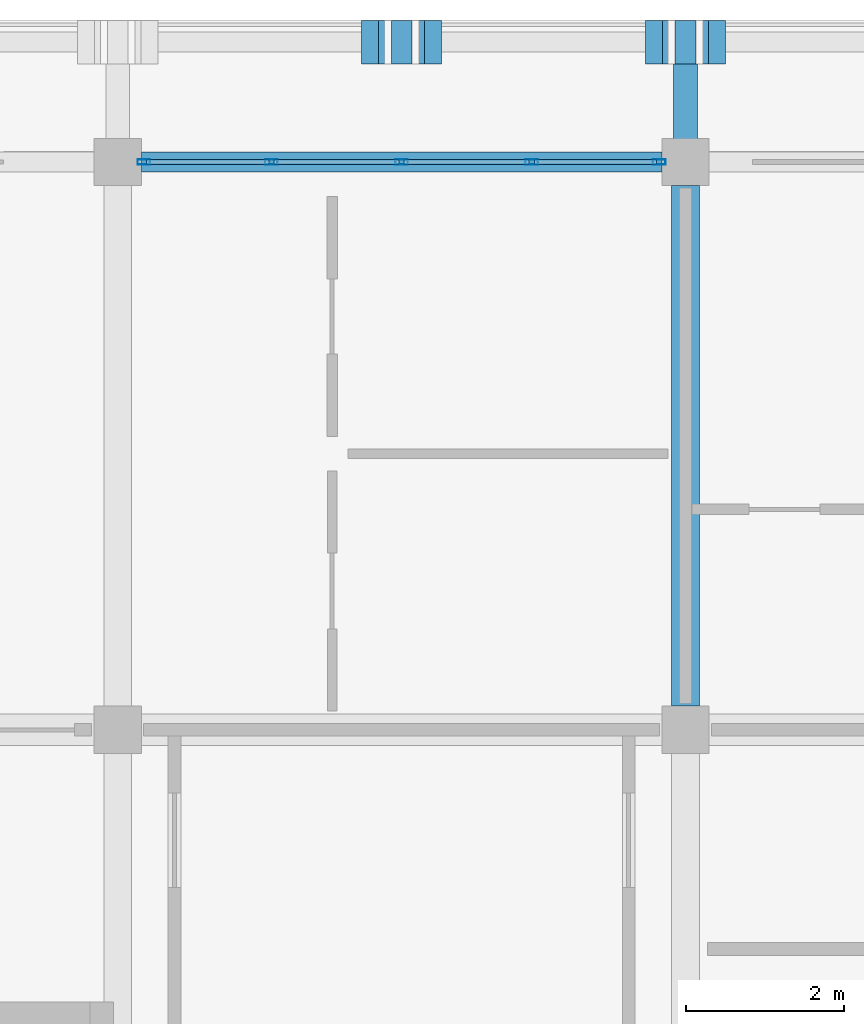
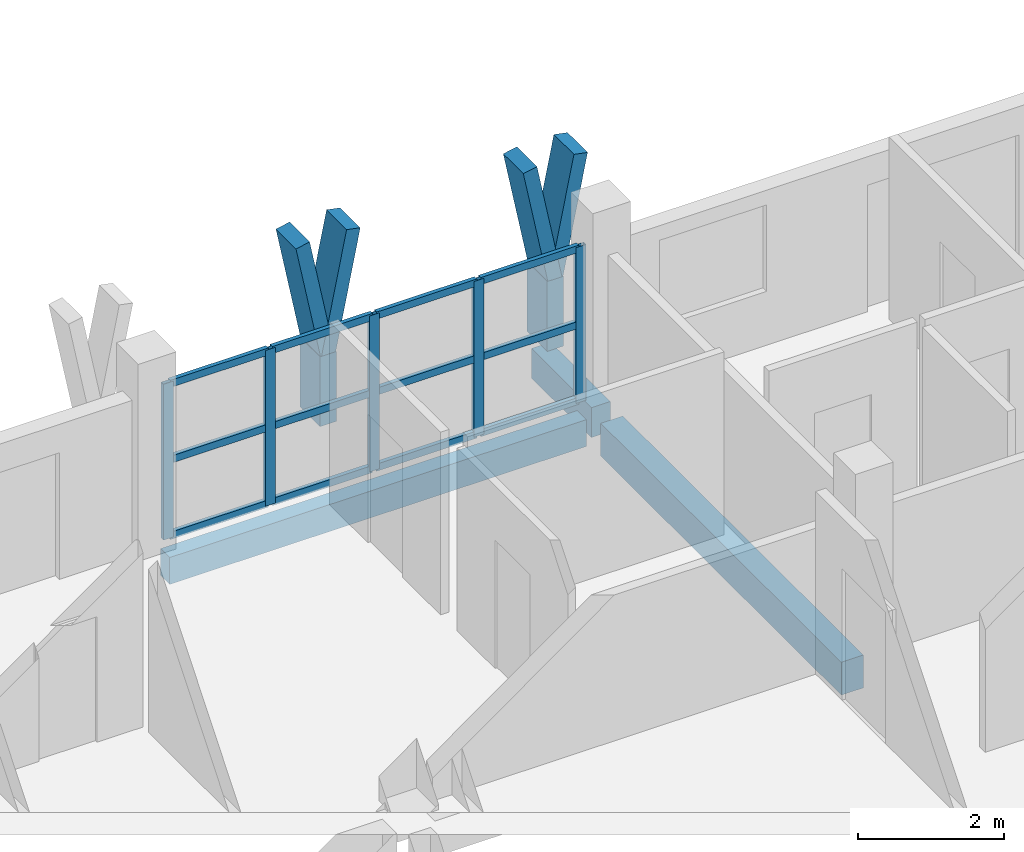
# One storey, part 29 of 75: 23 members, 3 beams, 1 element without a shape of its own.
"""IFC4 building model written with IfcOpenShell, lengths in metres."""

from ifc_helpers import new_model, si_unit, direction, frame, origin, origin_2d, place, context, subcontext, project, spatial, rectangle, hollow_rectangle, extrude, material, material_profile, profile_set, type_object, element, aggregate, save


model = new_model("IFC4")

# Units and contexts
model_context = context("Model", 3, precision=1e-05, world=origin(), true_north=direction((0.0, 1.0)))
body_context = subcontext(model_context, "Body", "Model", "MODEL_VIEW")
ifc_project = project(units=[si_unit("LENGTHUNIT", "METRE"), si_unit("AREAUNIT", "SQUARE_METRE"), si_unit("VOLUMEUNIT", "CUBIC_METRE"), si_unit("PLANEANGLEUNIT", "RADIAN"), si_unit("MASSUNIT", "GRAM", prefix="KILO")], contexts=[model_context])

# Site, building, storey
site_placement = place(None, origin())
site = spatial("IfcSite", under=ifc_project, at=site_placement, CompositionType="ELEMENT")
building_placement = place(site_placement, origin())
building = spatial("IfcBuilding", under=site, at=building_placement, Name="Suanplinth Sawtooth Commons", CompositionType="ELEMENT")
storey_placement = place(building_placement, frame((0.0, 0.0, 18.60009765625)))
storey = spatial("IfcBuildingStorey", under=building, at=storey_placement, Name="L05", CompositionType="ELEMENT", Elevation=18.60009765625)

# Beams
ifc_material_1 = material(Name="Precast concrete C40/50", Category="concrete")
ifc_material_profile_1 = material_profile(ifc_material_1, rectangle(XDim=0.35009765625, YDim=0.550048828125, at=origin_2d()), Name="PC-BM 350x550")
ifc_profile_set_1 = profile_set([ifc_material_profile_1], Name="Precast concrete C40/50")
beam_type_1 = type_object("IfcBeamType", Name="B-06", PredefinedType="BEAM", material=ifc_profile_set_1)
beam_1_placement = place(storey_placement, frame((151.199951171875, 115.5, -0.525146484375), z_axis=(0.0, 1.0, 0.0), x_axis=(-1.0, 0.0, 0.0)))
element("IfcBeam", 1, at=beam_1_placement, inside=storey, type_object=beam_type_1, Name="BMY-L05-B-21-16", PredefinedType="BEAM", context=body_context, shape_type="SweptSolid", body=[
    extrude(rectangle(XDim=0.35009765625, YDim=0.550048828125, at=origin_2d()), origin(), (0.0, 0.0, 1.0), 6.60009765625),
])
ifc_material_profile_2 = material_profile(ifc_material_1, rectangle(XDim=0.300048828125, YDim=0.5, at=origin_2d()), Name="PC-BM 300x500")
ifc_profile_set_2 = profile_set([ifc_material_profile_2], Name="Precast concrete C40/50")
beam_type_2 = type_object("IfcBeamType", Name="B-07", PredefinedType="BEAM", material=ifc_profile_set_2)
beam_2_placement = place(storey_placement, frame((151.199951171875, 122.39990234375, -0.43017578125), z_axis=(0.0, 1.0, 0.0), x_axis=(-1.0, 0.0, 0.0)))
element("IfcBeam", 2, at=beam_2_placement, inside=storey, type_object=beam_type_2, Name="Balcony Outrigger L05-B-N-21", PredefinedType="BEAM", context=body_context, shape_type="SweptSolid", body=[
    extrude(rectangle(XDim=0.300048828125, YDim=0.5, at=origin_2d()), origin(), (0.0, 0.0, 1.0), 1.64013671875),
])
ifc_material_profile_3 = material_profile(ifc_material_1, rectangle(XDim=0.25, YDim=0.449951171875, at=origin_2d()), Name="PC-SP 250x450")
ifc_profile_set_3 = profile_set([ifc_material_profile_3], Name="Precast concrete C40/50")
beam_type_3 = type_object("IfcBeamType", Name="B-09", PredefinedType="SPANDREL", material=ifc_profile_set_3)
beam_3_placement = place(storey_placement, frame((144.300048828125, 122.39990234375, -0.47509765625), z_axis=(1.0, 0.0, 0.0), x_axis=(0.0, 1.0, 0.0)))
element("IfcBeam", 3, at=beam_3_placement, inside=storey, type_object=beam_type_3, Name="BMX-L05-B-20-17", PredefinedType="SPANDREL", context=body_context, shape_type="SweptSolid", body=[
    extrude(rectangle(XDim=0.25, YDim=0.449951171875, at=origin_2d()), origin(), (0.0, 0.0, 1.0), 6.599853515625),
])

# Members
ifc_material_2 = material(Name="Pigmented precast concrete C40/50", Category="concrete")
ifc_material_profile_4 = material_profile(ifc_material_2, rectangle(XDim=0.260009765625, YDim=0.550048828125, at=origin_2d()), Name="PC-FIN 260x550")
ifc_profile_set_4 = profile_set([ifc_material_profile_4], Name="Pigmented precast concrete C40/50")
member_type_1 = type_object("IfcMemberType", Name="M-09", PredefinedType="USERDEFINED", material=ifc_profile_set_4)
for number, where, z_axis, x_axis, name in (
    (4, (147.60009765625, 123.919921875, 0.0), (0.0, 0.0, 1.0), (1.0, 0.0, 0.0), "Y-Blade Stem L05-B-N-03"),
    (5, (151.199951171875, 123.919921875, 0.0), (0.0, 0.0, 1.0), (1.0, 0.0, 0.0), "Y-Blade Stem L05-B-N-04"),
):
    element("IfcMember", number, at=place(storey_placement, frame(where, z_axis=z_axis, x_axis=x_axis)), inside=storey, type_object=member_type_1, Name=name, ObjectType="SHADING FIN", PredefinedType="USERDEFINED", context=body_context, shape_type="SweptSolid", body=[
        extrude(rectangle(XDim=0.260009765625, YDim=0.550048828125, at=origin_2d()), origin(), (0.0, 0.0, 1.0), 1.169921875),
    ])
ifc_material_profile_5 = material_profile(ifc_material_2, rectangle(XDim=0.219970703125, YDim=0.550048828125, at=origin_2d()), Name="PC-FIN 220x550")
ifc_profile_set_5 = profile_set([ifc_material_profile_5], Name="Pigmented precast concrete C40/50")
member_type_2 = type_object("IfcMemberType", Name="M-10", PredefinedType="USERDEFINED", material=ifc_profile_set_5)
for number, where, z_axis, x_axis, name in (
    (6, (147.60009765625, 123.919921875, 1.1298828125), (-0.196530428008, 0.0, 0.98049772609), (0.98049772609, 0.0, 0.196530428008), "Y-Blade Arm L L05-B-N-03"),
    (7, (147.60009765625, 123.919921875, 1.1298828125), (0.196415357203, 0.0, 0.980520783795), (-0.980520783795, 0.0, 0.196415357203), "Y-Blade Arm R L05-B-N-03"),
    (8, (151.199951171875, 123.919921875, 1.1298828125), (-0.196415357203, 0.0, 0.980520783795), (0.980520783795, 0.0, 0.196415357203), "Y-Blade Arm L L05-B-N-04"),
    (9, (151.199951171875, 123.919921875, 1.1298828125), (0.196530428008, 0.0, 0.98049772609), (-0.98049772609, 0.0, 0.196530428008), "Y-Blade Arm R L05-B-N-04"),
):
    element("IfcMember", number, at=place(storey_placement, frame(where, z_axis=z_axis, x_axis=x_axis)), inside=storey, type_object=member_type_2, Name=name, ObjectType="SHADING FIN", PredefinedType="USERDEFINED", context=body_context, shape_type="SweptSolid", body=[
        extrude(rectangle(XDim=0.219970703125, YDim=0.550048828125, at=origin_2d()), origin(), (0.0, 0.0, 1.0), 2.039794921875),
    ])

# Curtain wall, members
ifc_material_3 = material(Name="Anodized aluminium and low-E glazing", Category="aluminium")
curtain_wall_type = type_object("IfcCurtainWallType", Name="CW-06", PredefinedType="USERDEFINED", material=ifc_material_3)
curtain_wall_placement = place(storey_placement, origin())
curtain_wall = element("IfcCurtainWall", 10, at=curtain_wall_placement, inside=storey, type_object=curtain_wall_type, Name="Curtain Wall CW-L05-B-LOUNGE-20", ObjectType="CURTAIN WALL", PredefinedType="USERDEFINED")
ifc_material_4 = material(Name="Anodized aluminium 6063-T6", Category="aluminium")
ifc_material_profile_6 = material_profile(ifc_material_4, hollow_rectangle(XDim=0.06494140625, YDim=0.159912109375, WallThickness=0.00390625, at=origin_2d()), Name="ALU-MUL 65x160")
ifc_profile_set_6 = profile_set([ifc_material_profile_6], Name="Anodized aluminium 6063-T6")
member_type_3 = type_object("IfcMemberType", Name="M-13", PredefinedType="MULLION", material=ifc_profile_set_6)
member_1_placement = place(storey_placement, frame((144.33251953125, 122.39990234375, 0.0), z_axis=(0.0, 0.0, 1.0), x_axis=(0.0, 1.0, 0.0)))
member_1 = element("IfcMember", 11, at=member_1_placement, type_object=member_type_3, Name="CW-06 mullion 1", PredefinedType="MULLION", context=body_context, shape_type="SweptSolid", body=[
    extrude(hollow_rectangle(XDim=0.06494140625, YDim=0.159912109375, WallThickness=0.00390625, at=origin_2d()), origin(), (0.0, 0.0, 1.0), 2.60986328125),
])
member_2_placement = place(storey_placement, frame((145.949951171875, 122.39990234375, 0.0), z_axis=(0.0, 0.0, 1.0), x_axis=(0.0, 1.0, 0.0)))
member_2 = element("IfcMember", 12, at=member_2_placement, type_object=member_type_3, Name="CW-06 mullion 2", PredefinedType="MULLION", context=body_context, shape_type="SweptSolid", body=[
    extrude(hollow_rectangle(XDim=0.06494140625, YDim=0.159912109375, WallThickness=0.00390625, at=origin_2d()), origin(), (0.0, 0.0, 1.0), 2.60986328125),
])
member_3_placement = place(storey_placement, frame((147.60009765625, 122.39990234375, 0.0), z_axis=(0.0, 0.0, 1.0), x_axis=(0.0, 1.0, 0.0)))
member_3 = element("IfcMember", 13, at=member_3_placement, type_object=member_type_3, Name="CW-06 mullion 3", PredefinedType="MULLION", context=body_context, shape_type="SweptSolid", body=[
    extrude(hollow_rectangle(XDim=0.06494140625, YDim=0.159912109375, WallThickness=0.00390625, at=origin_2d()), origin(), (0.0, 0.0, 1.0), 2.60986328125),
])
member_4_placement = place(storey_placement, frame((149.25, 122.39990234375, 0.0), z_axis=(0.0, 0.0, 1.0), x_axis=(0.0, 1.0, 0.0)))
member_4 = element("IfcMember", 14, at=member_4_placement, type_object=member_type_3, Name="CW-06 mullion 4", PredefinedType="MULLION", context=body_context, shape_type="SweptSolid", body=[
    extrude(hollow_rectangle(XDim=0.06494140625, YDim=0.159912109375, WallThickness=0.00390625, at=origin_2d()), origin(), (0.0, 0.0, 1.0), 2.60986328125),
])
member_5_placement = place(storey_placement, frame((150.867431640625, 122.39990234375, 0.0), z_axis=(0.0, 0.0, 1.0), x_axis=(0.0, 1.0, 0.0)))
member_5 = element("IfcMember", 15, at=member_5_placement, type_object=member_type_3, Name="CW-06 mullion 5", PredefinedType="MULLION", context=body_context, shape_type="SweptSolid", body=[
    extrude(hollow_rectangle(XDim=0.06494140625, YDim=0.159912109375, WallThickness=0.00390625, at=origin_2d()), origin(), (0.0, 0.0, 1.0), 2.60986328125),
])
ifc_material_profile_7 = material_profile(ifc_material_4, hollow_rectangle(XDim=0.06494140625, YDim=0.1201171875, WallThickness=0.00390625, at=origin_2d()), Name="ALU-TRN 65x120")
ifc_profile_set_7 = profile_set([ifc_material_profile_7], Name="Anodized aluminium 6063-T6")
member_type_4 = type_object("IfcMemberType", Name="M-15", PredefinedType="USERDEFINED", material=ifc_profile_set_7)
member_6_placement = place(storey_placement, frame((144.364990234375, 122.39990234375, 0.032470703125), z_axis=(1.0, 0.0, 0.0), x_axis=(0.0, 1.0, 0.0)))
member_6 = element("IfcMember", 16, at=member_6_placement, type_object=member_type_4, Name="CW-06 transom 1.1", ObjectType="TRANSOM", PredefinedType="USERDEFINED", context=body_context, shape_type="SweptSolid", body=[
    extrude(hollow_rectangle(XDim=0.06494140625, YDim=0.1201171875, WallThickness=0.00390625, at=origin_2d()), origin(), (0.0, 0.0, 1.0), 1.552490234375),
])
member_7_placement = place(storey_placement, frame((144.364990234375, 122.39990234375, 1.304931640625), z_axis=(1.0, 0.0, 0.0), x_axis=(0.0, 1.0, 0.0)))
member_7 = element("IfcMember", 17, at=member_7_placement, type_object=member_type_4, Name="CW-06 transom 1.2", ObjectType="TRANSOM", PredefinedType="USERDEFINED", context=body_context, shape_type="SweptSolid", body=[
    extrude(hollow_rectangle(XDim=0.06494140625, YDim=0.1201171875, WallThickness=0.00390625, at=origin_2d()), origin(), (0.0, 0.0, 1.0), 1.552490234375),
])
member_8_placement = place(storey_placement, frame((144.364990234375, 122.39990234375, 2.577392578125), z_axis=(1.0, 0.0, 0.0), x_axis=(0.0, 1.0, 0.0)))
member_8 = element("IfcMember", 18, at=member_8_placement, type_object=member_type_4, Name="CW-06 transom 1.3", ObjectType="TRANSOM", PredefinedType="USERDEFINED", context=body_context, shape_type="SweptSolid", body=[
    extrude(hollow_rectangle(XDim=0.06494140625, YDim=0.1201171875, WallThickness=0.00390625, at=origin_2d()), origin(), (0.0, 0.0, 1.0), 1.552490234375),
])
member_9_placement = place(storey_placement, frame((145.982421875, 122.39990234375, 0.032470703125), z_axis=(1.0, 0.0, 0.0), x_axis=(0.0, 1.0, 0.0)))
member_9 = element("IfcMember", 19, at=member_9_placement, type_object=member_type_4, Name="CW-06 transom 2.1", ObjectType="TRANSOM", PredefinedType="USERDEFINED", context=body_context, shape_type="SweptSolid", body=[
    extrude(hollow_rectangle(XDim=0.06494140625, YDim=0.1201171875, WallThickness=0.00390625, at=origin_2d()), origin(), (0.0, 0.0, 1.0), 1.5849609375),
])
member_10_placement = place(storey_placement, frame((145.982421875, 122.39990234375, 1.304931640625), z_axis=(1.0, 0.0, 0.0), x_axis=(0.0, 1.0, 0.0)))
member_10 = element("IfcMember", 20, at=member_10_placement, type_object=member_type_4, Name="CW-06 transom 2.2", ObjectType="TRANSOM", PredefinedType="USERDEFINED", context=body_context, shape_type="SweptSolid", body=[
    extrude(hollow_rectangle(XDim=0.06494140625, YDim=0.1201171875, WallThickness=0.00390625, at=origin_2d()), origin(), (0.0, 0.0, 1.0), 1.5849609375),
])
member_11_placement = place(storey_placement, frame((145.982421875, 122.39990234375, 2.577392578125), z_axis=(1.0, 0.0, 0.0), x_axis=(0.0, 1.0, 0.0)))
member_11 = element("IfcMember", 21, at=member_11_placement, type_object=member_type_4, Name="CW-06 transom 2.3", ObjectType="TRANSOM", PredefinedType="USERDEFINED", context=body_context, shape_type="SweptSolid", body=[
    extrude(hollow_rectangle(XDim=0.06494140625, YDim=0.1201171875, WallThickness=0.00390625, at=origin_2d()), origin(), (0.0, 0.0, 1.0), 1.5849609375),
])
member_12_placement = place(storey_placement, frame((147.632568359375, 122.39990234375, 0.032470703125), z_axis=(1.0, 0.0, 0.0), x_axis=(0.0, 1.0, 0.0)))
member_12 = element("IfcMember", 22, at=member_12_placement, type_object=member_type_4, Name="CW-06 transom 3.1", ObjectType="TRANSOM", PredefinedType="USERDEFINED", context=body_context, shape_type="SweptSolid", body=[
    extrude(hollow_rectangle(XDim=0.06494140625, YDim=0.1201171875, WallThickness=0.00390625, at=origin_2d()), origin(), (0.0, 0.0, 1.0), 1.5849609375),
])
member_13_placement = place(storey_placement, frame((147.632568359375, 122.39990234375, 1.304931640625), z_axis=(1.0, 0.0, 0.0), x_axis=(0.0, 1.0, 0.0)))
member_13 = element("IfcMember", 23, at=member_13_placement, type_object=member_type_4, Name="CW-06 transom 3.2", ObjectType="TRANSOM", PredefinedType="USERDEFINED", context=body_context, shape_type="SweptSolid", body=[
    extrude(hollow_rectangle(XDim=0.06494140625, YDim=0.1201171875, WallThickness=0.00390625, at=origin_2d()), origin(), (0.0, 0.0, 1.0), 1.5849609375),
])
member_14_placement = place(storey_placement, frame((147.632568359375, 122.39990234375, 2.577392578125), z_axis=(1.0, 0.0, 0.0), x_axis=(0.0, 1.0, 0.0)))
member_14 = element("IfcMember", 24, at=member_14_placement, type_object=member_type_4, Name="CW-06 transom 3.3", ObjectType="TRANSOM", PredefinedType="USERDEFINED", context=body_context, shape_type="SweptSolid", body=[
    extrude(hollow_rectangle(XDim=0.06494140625, YDim=0.1201171875, WallThickness=0.00390625, at=origin_2d()), origin(), (0.0, 0.0, 1.0), 1.5849609375),
])
member_15_placement = place(storey_placement, frame((149.282470703125, 122.39990234375, 0.032470703125), z_axis=(1.0, 0.0, 0.0), x_axis=(0.0, 1.0, 0.0)))
member_15 = element("IfcMember", 25, at=member_15_placement, type_object=member_type_4, Name="CW-06 transom 4.1", ObjectType="TRANSOM", PredefinedType="USERDEFINED", context=body_context, shape_type="SweptSolid", body=[
    extrude(hollow_rectangle(XDim=0.06494140625, YDim=0.1201171875, WallThickness=0.00390625, at=origin_2d()), origin(), (0.0, 0.0, 1.0), 1.552490234375),
])
member_16_placement = place(storey_placement, frame((149.282470703125, 122.39990234375, 1.304931640625), z_axis=(1.0, 0.0, 0.0), x_axis=(0.0, 1.0, 0.0)))
member_16 = element("IfcMember", 26, at=member_16_placement, type_object=member_type_4, Name="CW-06 transom 4.2", ObjectType="TRANSOM", PredefinedType="USERDEFINED", context=body_context, shape_type="SweptSolid", body=[
    extrude(hollow_rectangle(XDim=0.06494140625, YDim=0.1201171875, WallThickness=0.00390625, at=origin_2d()), origin(), (0.0, 0.0, 1.0), 1.552490234375),
])
member_17_placement = place(storey_placement, frame((149.282470703125, 122.39990234375, 2.577392578125), z_axis=(1.0, 0.0, 0.0), x_axis=(0.0, 1.0, 0.0)))
member_17 = element("IfcMember", 27, at=member_17_placement, type_object=member_type_4, Name="CW-06 transom 4.3", ObjectType="TRANSOM", PredefinedType="USERDEFINED", context=body_context, shape_type="SweptSolid", body=[
    extrude(hollow_rectangle(XDim=0.06494140625, YDim=0.1201171875, WallThickness=0.00390625, at=origin_2d()), origin(), (0.0, 0.0, 1.0), 1.552490234375),
])
aggregate(curtain_wall, [member_1, member_2, member_3, member_4, member_5, member_6, member_7, member_8, member_9, member_10, member_11, member_12, member_13, member_14, member_15, member_16, member_17])

save(model, "model.ifc")
